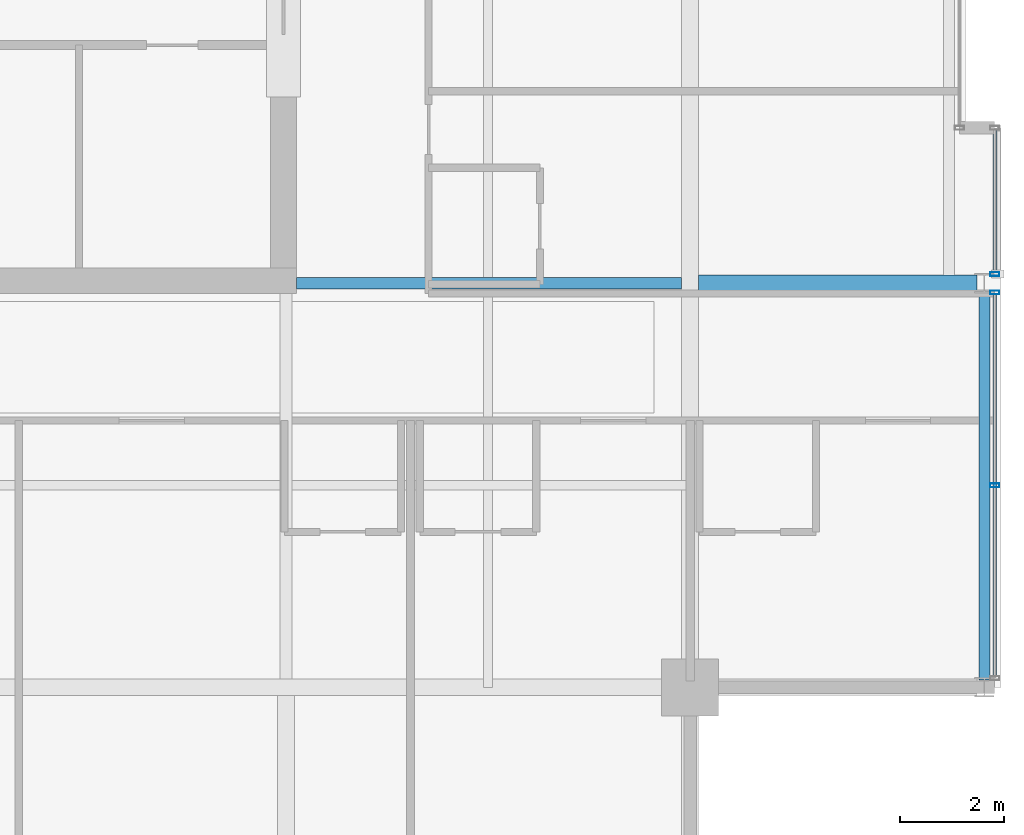
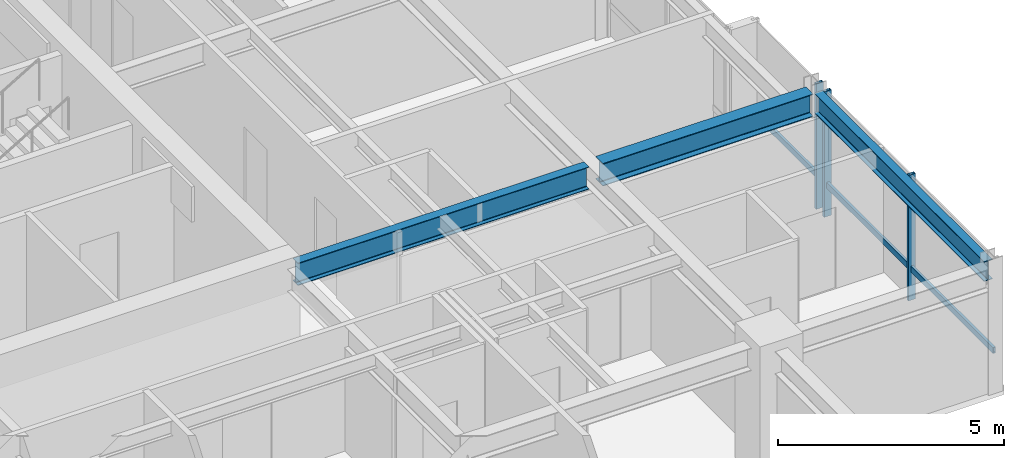
# One storey, part 16 of 33: 5 members, 3 beams, 2 elements without a shape of their own.
"""IFC4 building model written with IfcOpenShell, lengths in metres."""

from ifc_helpers import new_model, si_unit, direction, frame, origin, origin_2d, place, context, subcontext, project, spatial, hollow_rectangle, i_section, extrude, material, layer, layer_set, material_profile, profile_set, type_object, element, aggregate, save


model = new_model("IFC4")

# Units and contexts
model_context = context("Model", 3, precision=1e-05, world=origin(), true_north=direction((0.0, 1.0)))
body_context = subcontext(model_context, "Body", "Model", "MODEL_VIEW")
ifc_project = project(units=[si_unit("LENGTHUNIT", "METRE"), si_unit("AREAUNIT", "SQUARE_METRE"), si_unit("VOLUMEUNIT", "CUBIC_METRE"), si_unit("PLANEANGLEUNIT", "RADIAN"), si_unit("MASSUNIT", "GRAM", prefix="KILO")], contexts=[model_context])

# Site, building, storey
site_placement = place(None, origin())
site = spatial("IfcSite", under=ifc_project, at=site_placement, CompositionType="ELEMENT")
building_placement = place(site_placement, origin())
building = spatial("IfcBuilding", under=site, at=building_placement, Name="Drelvath Grand Hotel", CompositionType="ELEMENT")
storey_placement = place(building_placement, frame((0.0, 0.0, 268.64990234375)))
storey = spatial("IfcBuildingStorey", under=building, at=storey_placement, Name="L70", CompositionType="ELEMENT", Elevation=268.64990234375)

# Curtain wall, member
ifc_material_1 = material(Name="Platinum-Mist Anodised Aluminium Frame", Category="aluminium")
ifc_layer = layer(ifc_material_1, 0.199951171875)
ifc_layer_set = layer_set([ifc_layer], Name="Platinum-Mist Anodised Aluminium Frame")
curtain_wall_type = type_object("IfcCurtainWallType", Name="Stick Curtain Wall CW-05 Platinum Mist High-Rise", PredefinedType="NOTDEFINED", material=ifc_layer_set)
curtain_wall_1_placement = place(storey_placement, origin())
curtain_wall_1 = element("IfcCurtainWall", 1, at=curtain_wall_1_placement, inside=storey, type_object=curtain_wall_type, Name="L70 CW-05 Curtain Wall CW05-L70-ES1", PredefinedType="NOTDEFINED")
ifc_material_profile_1 = material_profile(ifc_material_1, hollow_rectangle(XDim=0.06494140625, YDim=0.159912109375, WallThickness=0.00390625, at=origin_2d()), Name="HSS160X65X4")
ifc_profile_set_1 = profile_set([ifc_material_profile_1], Name="Platinum-Mist Anodised Aluminium Frame")
member_type_1 = type_object("IfcMemberType", Name="Curtain Wall Horizontal Transom CW-05 HSS160X65X4", PredefinedType="USERDEFINED", material=ifc_profile_set_1)
member_1_placement = place(storey_placement, frame((22.080078125, 18.3818359375, 0.84765625), z_axis=(0.0, -1.0, 0.0), x_axis=(1.0, 0.0, 0.0)))
member_1 = element("IfcMember", 2, at=member_1_placement, type_object=member_type_1, Name="CW05-L70-ES1 Sill Transom", ObjectType="TRANSOM", PredefinedType="USERDEFINED", context=body_context, shape_type="SweptSolid", body=[
    extrude(hollow_rectangle(XDim=0.06494140625, YDim=0.159912109375, WallThickness=0.00390625, at=origin_2d()), origin(), (0.0, 0.0, 1.0), 7.363525390625),
])

curtain_wall_2_placement = place(storey_placement, origin())
curtain_wall_2 = element("IfcCurtainWall", 3, at=curtain_wall_2_placement, inside=storey, type_object=curtain_wall_type, Name="L70 CW-05 Curtain Wall CW05-L70-ES2", PredefinedType="NOTDEFINED")
member_2_placement = place(storey_placement, frame((22.080078125, 21.56005859375, 0.84765625), z_axis=(0.0, -1.0, 0.0), x_axis=(1.0, 0.0, 0.0)))
member_2 = element("IfcMember", 4, at=member_2_placement, type_object=member_type_1, Name="CW05-L70-ES2 Sill Transom", ObjectType="TRANSOM", PredefinedType="USERDEFINED", context=body_context, shape_type="SweptSolid", body=[
    extrude(hollow_rectangle(XDim=0.06494140625, YDim=0.159912109375, WallThickness=0.00390625, at=origin_2d()), origin(), (0.0, 0.0, 1.0), 2.741943359375),
])

# Member
ifc_material_profile_2 = material_profile(ifc_material_1, hollow_rectangle(XDim=0.074951171875, YDim=0.179931640625, WallThickness=0.0048828125, at=origin_2d()), Name="HSS180X75X5")
ifc_profile_set_2 = profile_set([ifc_material_profile_2], Name="Platinum-Mist Anodised Aluminium Frame")
member_type_2 = type_object("IfcMemberType", Name="Curtain Wall Vertical Mullion CW-05 HSS180X75X5", PredefinedType="MULLION", material=ifc_profile_set_2)
member_3_placement = place(storey_placement, frame((22.080078125, 18.421875, 0.0), z_axis=(0.0, 0.0, 1.0), x_axis=(0.0, 1.0, 0.0)))
member_3 = element("IfcMember", 5, at=member_3_placement, type_object=member_type_2, Name="CW05-L70-ES1 Mullion 1", PredefinedType="MULLION", context=body_context, shape_type="SweptSolid", body=[
    extrude(hollow_rectangle(XDim=0.074951171875, YDim=0.179931640625, WallThickness=0.0048828125, at=origin_2d()), origin(), (0.0, 0.0, 1.0), 3.39013671875),
])

member_4_placement = place(storey_placement, frame((22.080078125, 14.699951171875, 0.0), z_axis=(0.0, 0.0, 1.0), x_axis=(0.0, 1.0, 0.0)))
member_4 = element("IfcMember", 6, at=member_4_placement, type_object=member_type_2, Name="CW05-L70-ES1 Mullion 2", PredefinedType="MULLION", context=body_context, shape_type="SweptSolid", body=[
    extrude(hollow_rectangle(XDim=0.074951171875, YDim=0.179931640625, WallThickness=0.0048828125, at=origin_2d()), origin(), (0.0, 0.0, 1.0), 3.39013671875),
])

aggregate(curtain_wall_1, [member_3, member_4, member_1])

member_5_placement = place(storey_placement, frame((22.080078125, 18.7783203125, 0.0), z_axis=(0.0, 0.0, 1.0), x_axis=(0.0, 1.0, 0.0)))
member_5 = element("IfcMember", 7, at=member_5_placement, type_object=member_type_2, Name="CW05-L70-ES2 Mullion 2", PredefinedType="MULLION", context=body_context, shape_type="SweptSolid", body=[
    extrude(hollow_rectangle(XDim=0.074951171875, YDim=0.179931640625, WallThickness=0.0048828125, at=origin_2d()), origin(), (0.0, 0.0, 1.0), 3.39013671875),
])

aggregate(curtain_wall_2, [member_5, member_2])

# Beams
ifc_material_2 = material(Name="Steel ASTM A992 Gr 50", Category="steel")
ifc_material_profile_3 = material_profile(ifc_material_2, i_section(OverallWidth=0.210205078125, OverallDepth=0.53662109375, WebThickness=0.010986328125, FlangeThickness=0.017333984375, FilletRadius=0.01806640625, at=origin_2d()), Name="W21X68")
ifc_profile_set_3 = profile_set([ifc_material_profile_3], Name="Steel ASTM A992 Gr 50")
beam_type_1 = type_object("IfcBeamType", Name="Perimeter Spandrel Beam W21X68", PredefinedType="SPANDREL", material=ifc_profile_set_3)
beam_1_placement = place(storey_placement, frame((21.8798828125, 10.93994140625, 3.121826171875), z_axis=(0.0, 1.0, 0.0), x_axis=(-1.0, 0.0, 0.0)))
element("IfcBeam", 8, at=beam_1_placement, inside=storey, type_object=beam_type_1, Name="L70 Spandrel East S", PredefinedType="SPANDREL", context=body_context, shape_type="SweptSolid", body=[
    extrude(i_section(OverallWidth=0.210205078125, OverallDepth=0.53662109375, WebThickness=0.010986328125, FlangeThickness=0.017333984375, FilletRadius=0.01806640625, at=origin_2d()), origin(), (0.0, 0.0, 1.0), 7.52001953125),
])
ifc_material_profile_4 = material_profile(ifc_material_2, i_section(OverallWidth=0.323974609375, OverallDepth=0.611083984375, WebThickness=0.0126953125, FlangeThickness=0.01904296875, FilletRadius=0.02197265625, at=origin_2d()), Name="W24X104")
ifc_profile_set_4 = profile_set([ifc_material_profile_4], Name="Steel ASTM A992 Gr 50")
beam_type_2 = type_object("IfcBeamType", Name="Primary Floor Girder W24X104", PredefinedType="BEAM", material=ifc_profile_set_4)
beam_2_placement = place(storey_placement, frame((16.362060546875, 18.60009765625, 3.084716796875), z_axis=(1.0, 0.0, 0.0), x_axis=(0.0, 1.0, 0.0)))
element("IfcBeam", 9, at=beam_2_placement, inside=storey, type_object=beam_type_2, Name="L70 East Wing Girder D", PredefinedType="BEAM", context=body_context, shape_type="SweptSolid", body=[
    extrude(i_section(OverallWidth=0.323974609375, OverallDepth=0.611083984375, WebThickness=0.0126953125, FlangeThickness=0.01904296875, FilletRadius=0.02197265625, at=origin_2d()), origin(), (0.0, 0.0, 1.0), 5.3779296875),
])
ifc_material_profile_5 = material_profile(ifc_material_2, i_section(OverallWidth=0.228271484375, OverallDepth=0.607666015625, WebThickness=0.01123046875, FlangeThickness=0.017333984375, FilletRadius=0.02001953125, at=origin_2d()), Name="W24X76")
ifc_profile_set_5 = profile_set([ifc_material_profile_5], Name="Steel ASTM A992 Gr 50")
beam_type_3 = type_object("IfcBeamType", Name="Primary Floor Girder W24X76", PredefinedType="BEAM", material=ifc_profile_set_5)
beam_3_placement = place(storey_placement, frame((8.60009765625, 18.60009765625, 3.086181640625), z_axis=(1.0, 0.0, 0.0), x_axis=(0.0, 1.0, 0.0)))
element("IfcBeam", 10, at=beam_3_placement, inside=storey, type_object=beam_type_3, Name="L70 East Core Tie D", PredefinedType="BEAM", context=body_context, shape_type="SweptSolid", body=[
    extrude(i_section(OverallWidth=0.228271484375, OverallDepth=0.607666015625, WebThickness=0.01123046875, FlangeThickness=0.017333984375, FilletRadius=0.02001953125, at=origin_2d()), origin(), (0.0, 0.0, 1.0), 7.43798828125),
])

save(model, "model.ifc")
